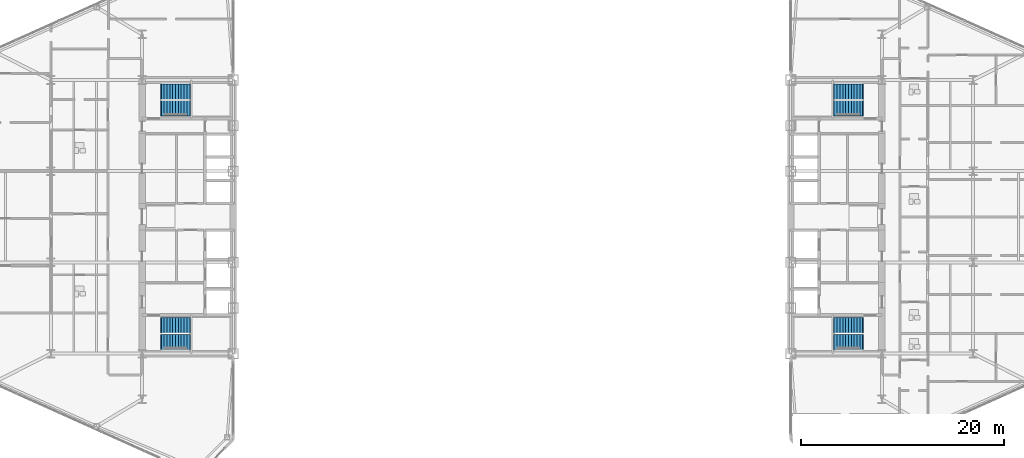
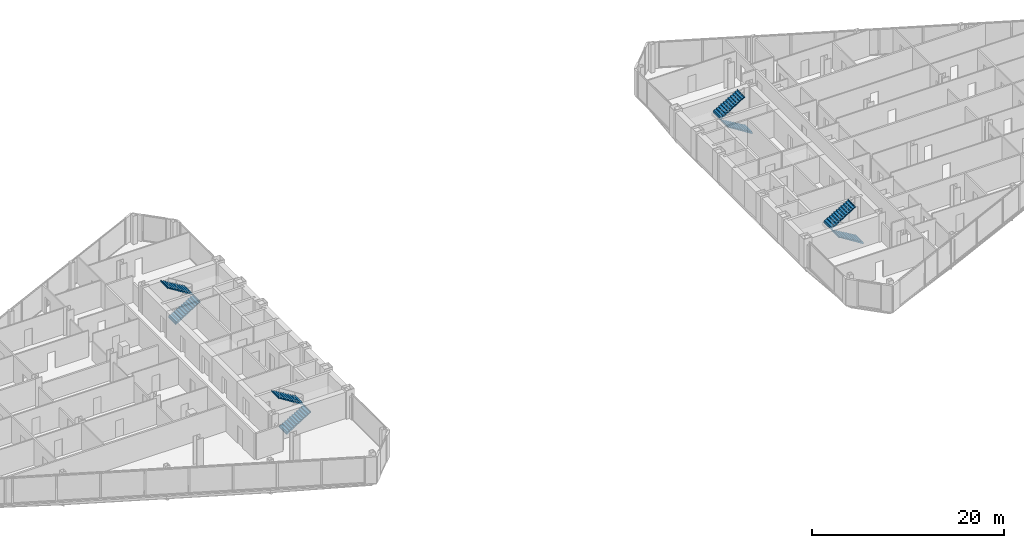
# One storey, part 25 of 27: 8 stair flights, 4 elements without a shape of their own.
"""IFC4 building model written with IfcOpenShell, lengths in metres."""

from ifc_helpers import new_model, si_unit, direction, frame, origin, place, context, subcontext, project, spatial, polyline, outline, extrude, material, type_object, element, aggregate, save


model = new_model("IFC4")

# Units and contexts
model_context = context("Model", 3, precision=1e-05, world=origin(), true_north=direction((0.0, 1.0)))
body_context = subcontext(model_context, "Body", "Model", "MODEL_VIEW")
ifc_project = project(units=[si_unit("LENGTHUNIT", "METRE"), si_unit("AREAUNIT", "SQUARE_METRE"), si_unit("VOLUMEUNIT", "CUBIC_METRE"), si_unit("PLANEANGLEUNIT", "RADIAN"), si_unit("MASSUNIT", "GRAM", prefix="KILO")], contexts=[model_context])

# Site, building, storey
site_placement = place(None, origin())
site = spatial("IfcSite", under=ifc_project, at=site_placement, CompositionType="ELEMENT")
building_placement = place(site_placement, origin())
building = spatial("IfcBuilding", under=site, at=building_placement, Name="Seokmaru Belvedere", CompositionType="ELEMENT")
storey_placement = place(building_placement, frame((0.0, 0.0, 83.699951171875)))
storey = spatial("IfcBuildingStorey", under=building, at=storey_placement, Name="L22", CompositionType="ELEMENT", Elevation=83.699951171875)

# Stair, stair flights
ifc_material = material(Name="Concrete C40 (40 MPa)", Category="concrete")
stair_type = type_object("IfcStairType", Name="Typical Tower Core Dog-Leg Stair 3600", PredefinedType="TWO_STRAIGHT_RUN_STAIR", material=ifc_material)
stair_1_placement = place(storey_placement, origin())
stair_1 = element("IfcStair", 1, at=stair_1_placement, inside=storey, type_object=stair_type, Name="L22 Special Escape Stair ST-W1", PredefinedType="TWO_STRAIGHT_RUN_STAIR")
stair_flight_type = type_object("IfcStairFlightType", Name="Reinforced Concrete Stair Flight 1500", PredefinedType="STRAIGHT", material=ifc_material)
stair_flight_1_placement = place(storey_placement, frame((-34.60009765625, -12.35009765625, 0.0), z_axis=(0.0, 0.0, 1.0), x_axis=(1.0, 0.0, 0.0)))
stair_flight_1 = element("IfcStairFlight", 2, at=stair_flight_1_placement, type_object=stair_flight_type, Name="ST-W1 flight 1", NumberOfRisers=11, NumberOfTreads=10, PredefinedType="STRAIGHT", RiserHeight=0.163636364, TreadLength=0.28, context=body_context, shape_type="SweptSolid", body=[
    extrude(outline(polyline([(-0.080078125, 0.0), (0.0, 0.16357421875), (0.280029296875, 0.16357421875), (0.280029296875, 0.327392578125), (0.56005859375, 0.327392578125), (0.56005859375, 0.490966796875), (0.840087890625, 0.490966796875), (0.840087890625, 0.654541015625), (1.1201171875, 0.654541015625), (1.1201171875, 0.818115234375), (1.39990234375, 0.818115234375), (1.39990234375, 0.98193359375), (1.679931640625, 0.98193359375), (1.679931640625, 1.1455078125), (1.9599609375, 1.1455078125), (1.9599609375, 1.30908203125), (2.239990234375, 1.30908203125), (2.239990234375, 1.47265625), (2.52001953125, 1.47265625), (2.52001953125, 1.636474609375), (2.800048828125, 1.636474609375), (2.800048828125, 1.800048828125), (2.8798828125, 1.800048828125), (2.8798828125, 1.610107421875), (2.800048828125, 1.610107421875), (0.0, -0.159912109375), (-0.080078125, -0.159912109375), (-0.080078125, 0.0)])), frame((0.0, 0.75, 0.0), z_axis=(0.0, -1.0, 0.0), x_axis=(1.0, 0.0, 0.0)), (0.0, 0.0, 1.0), 1.5),
])
stair_flight_2_placement = place(storey_placement, frame((-31.800048828125, -10.7099609375, 1.800048828125), z_axis=(0.0, 0.0, 1.0), x_axis=(-1.0, 0.0, 0.0)))
stair_flight_2 = element("IfcStairFlight", 3, at=stair_flight_2_placement, type_object=stair_flight_type, Name="ST-W1 flight 2", NumberOfRisers=11, NumberOfTreads=10, PredefinedType="STRAIGHT", RiserHeight=0.163636364, TreadLength=0.28, context=body_context, shape_type="SweptSolid", body=[
    extrude(outline(polyline([(-0.080078125, 0.0), (0.0, 0.16357421875), (0.280029296875, 0.16357421875), (0.280029296875, 0.327392578125), (0.56005859375, 0.327392578125), (0.56005859375, 0.490966796875), (0.840087890625, 0.490966796875), (0.840087890625, 0.654541015625), (1.1201171875, 0.654541015625), (1.1201171875, 0.818115234375), (1.39990234375, 0.818115234375), (1.39990234375, 0.98193359375), (1.679931640625, 0.98193359375), (1.679931640625, 1.1455078125), (1.9599609375, 1.1455078125), (1.9599609375, 1.30908203125), (2.239990234375, 1.30908203125), (2.239990234375, 1.47265625), (2.52001953125, 1.47265625), (2.52001953125, 1.636474609375), (2.800048828125, 1.636474609375), (2.800048828125, 1.800048828125), (2.8798828125, 1.800048828125), (2.8798828125, 1.610107421875), (2.800048828125, 1.610107421875), (0.0, -0.159912109375), (-0.080078125, -0.159912109375), (-0.080078125, 0.0)])), frame((0.0, 0.75, 0.0), z_axis=(0.0, -1.0, 0.0), x_axis=(1.0, 0.0, 0.0)), (0.0, 0.0, 1.0), 1.5),
])
aggregate(stair_1, [stair_flight_1, stair_flight_2])

stair_2_placement = place(storey_placement, origin())
stair_2 = element("IfcStair", 4, at=stair_2_placement, inside=storey, type_object=stair_type, Name="L22 Special Escape Stair ST-W2", PredefinedType="TWO_STRAIGHT_RUN_STAIR")
stair_flight_3_placement = place(storey_placement, frame((-34.60009765625, 10.7099609375, 0.0), z_axis=(0.0, 0.0, 1.0), x_axis=(1.0, 0.0, 0.0)))
stair_flight_3 = element("IfcStairFlight", 5, at=stair_flight_3_placement, type_object=stair_flight_type, Name="ST-W2 flight 1", NumberOfRisers=11, NumberOfTreads=10, PredefinedType="STRAIGHT", RiserHeight=0.163636364, TreadLength=0.28, context=body_context, shape_type="SweptSolid", body=[
    extrude(outline(polyline([(-0.080078125, 0.0), (0.0, 0.16357421875), (0.280029296875, 0.16357421875), (0.280029296875, 0.327392578125), (0.56005859375, 0.327392578125), (0.56005859375, 0.490966796875), (0.840087890625, 0.490966796875), (0.840087890625, 0.654541015625), (1.1201171875, 0.654541015625), (1.1201171875, 0.818115234375), (1.39990234375, 0.818115234375), (1.39990234375, 0.98193359375), (1.679931640625, 0.98193359375), (1.679931640625, 1.1455078125), (1.9599609375, 1.1455078125), (1.9599609375, 1.30908203125), (2.239990234375, 1.30908203125), (2.239990234375, 1.47265625), (2.52001953125, 1.47265625), (2.52001953125, 1.636474609375), (2.800048828125, 1.636474609375), (2.800048828125, 1.800048828125), (2.8798828125, 1.800048828125), (2.8798828125, 1.610107421875), (2.800048828125, 1.610107421875), (0.0, -0.159912109375), (-0.080078125, -0.159912109375), (-0.080078125, 0.0)])), frame((0.0, 0.75, 0.0), z_axis=(0.0, -1.0, 0.0), x_axis=(1.0, 0.0, 0.0)), (0.0, 0.0, 1.0), 1.5),
])
stair_flight_4_placement = place(storey_placement, frame((-31.800048828125, 12.35009765625, 1.800048828125), z_axis=(0.0, 0.0, 1.0), x_axis=(-1.0, 0.0, 0.0)))
stair_flight_4 = element("IfcStairFlight", 6, at=stair_flight_4_placement, type_object=stair_flight_type, Name="ST-W2 flight 2", NumberOfRisers=11, NumberOfTreads=10, PredefinedType="STRAIGHT", RiserHeight=0.163636364, TreadLength=0.28, context=body_context, shape_type="SweptSolid", body=[
    extrude(outline(polyline([(-0.080078125, 0.0), (0.0, 0.16357421875), (0.280029296875, 0.16357421875), (0.280029296875, 0.327392578125), (0.56005859375, 0.327392578125), (0.56005859375, 0.490966796875), (0.840087890625, 0.490966796875), (0.840087890625, 0.654541015625), (1.1201171875, 0.654541015625), (1.1201171875, 0.818115234375), (1.39990234375, 0.818115234375), (1.39990234375, 0.98193359375), (1.679931640625, 0.98193359375), (1.679931640625, 1.1455078125), (1.9599609375, 1.1455078125), (1.9599609375, 1.30908203125), (2.239990234375, 1.30908203125), (2.239990234375, 1.47265625), (2.52001953125, 1.47265625), (2.52001953125, 1.636474609375), (2.800048828125, 1.636474609375), (2.800048828125, 1.800048828125), (2.8798828125, 1.800048828125), (2.8798828125, 1.610107421875), (2.800048828125, 1.610107421875), (0.0, -0.159912109375), (-0.080078125, -0.159912109375), (-0.080078125, 0.0)])), frame((0.0, 0.75, 0.0), z_axis=(0.0, -1.0, 0.0), x_axis=(1.0, 0.0, 0.0)), (0.0, 0.0, 1.0), 1.5),
])
aggregate(stair_2, [stair_flight_3, stair_flight_4])

stair_3_placement = place(storey_placement, origin())
stair_3 = element("IfcStair", 7, at=stair_3_placement, inside=storey, type_object=stair_type, Name="L22 Special Escape Stair ST-E1", PredefinedType="TWO_STRAIGHT_RUN_STAIR")
stair_flight_5_placement = place(storey_placement, frame((34.60009765625, -12.35009765625, 0.0), z_axis=(0.0, 0.0, 1.0), x_axis=(-1.0, 0.0, 0.0)))
stair_flight_5 = element("IfcStairFlight", 8, at=stair_flight_5_placement, type_object=stair_flight_type, Name="ST-E1 flight 1", NumberOfRisers=11, NumberOfTreads=10, PredefinedType="STRAIGHT", RiserHeight=0.163636364, TreadLength=0.28, context=body_context, shape_type="SweptSolid", body=[
    extrude(outline(polyline([(-0.080078125, 0.0), (0.0, 0.16357421875), (0.280029296875, 0.16357421875), (0.280029296875, 0.327392578125), (0.56005859375, 0.327392578125), (0.56005859375, 0.490966796875), (0.840087890625, 0.490966796875), (0.840087890625, 0.654541015625), (1.1201171875, 0.654541015625), (1.1201171875, 0.818115234375), (1.39990234375, 0.818115234375), (1.39990234375, 0.98193359375), (1.679931640625, 0.98193359375), (1.679931640625, 1.1455078125), (1.9599609375, 1.1455078125), (1.9599609375, 1.30908203125), (2.239990234375, 1.30908203125), (2.239990234375, 1.47265625), (2.52001953125, 1.47265625), (2.52001953125, 1.636474609375), (2.800048828125, 1.636474609375), (2.800048828125, 1.800048828125), (2.8798828125, 1.800048828125), (2.8798828125, 1.610107421875), (2.800048828125, 1.610107421875), (0.0, -0.159912109375), (-0.080078125, -0.159912109375), (-0.080078125, 0.0)])), frame((0.0, 0.75, 0.0), z_axis=(0.0, -1.0, 0.0), x_axis=(1.0, 0.0, 0.0)), (0.0, 0.0, 1.0), 1.5),
])
stair_flight_6_placement = place(storey_placement, frame((31.800048828125, -10.7099609375, 1.800048828125), z_axis=(0.0, 0.0, 1.0), x_axis=(1.0, 0.0, 0.0)))
stair_flight_6 = element("IfcStairFlight", 9, at=stair_flight_6_placement, type_object=stair_flight_type, Name="ST-E1 flight 2", NumberOfRisers=11, NumberOfTreads=10, PredefinedType="STRAIGHT", RiserHeight=0.163636364, TreadLength=0.28, context=body_context, shape_type="SweptSolid", body=[
    extrude(outline(polyline([(-0.080078125, 0.0), (0.0, 0.16357421875), (0.280029296875, 0.16357421875), (0.280029296875, 0.327392578125), (0.56005859375, 0.327392578125), (0.56005859375, 0.490966796875), (0.840087890625, 0.490966796875), (0.840087890625, 0.654541015625), (1.1201171875, 0.654541015625), (1.1201171875, 0.818115234375), (1.39990234375, 0.818115234375), (1.39990234375, 0.98193359375), (1.679931640625, 0.98193359375), (1.679931640625, 1.1455078125), (1.9599609375, 1.1455078125), (1.9599609375, 1.30908203125), (2.239990234375, 1.30908203125), (2.239990234375, 1.47265625), (2.52001953125, 1.47265625), (2.52001953125, 1.636474609375), (2.800048828125, 1.636474609375), (2.800048828125, 1.800048828125), (2.8798828125, 1.800048828125), (2.8798828125, 1.610107421875), (2.800048828125, 1.610107421875), (0.0, -0.159912109375), (-0.080078125, -0.159912109375), (-0.080078125, 0.0)])), frame((0.0, 0.75, 0.0), z_axis=(0.0, -1.0, 0.0), x_axis=(1.0, 0.0, 0.0)), (0.0, 0.0, 1.0), 1.5),
])
aggregate(stair_3, [stair_flight_5, stair_flight_6])

stair_4_placement = place(storey_placement, origin())
stair_4 = element("IfcStair", 10, at=stair_4_placement, inside=storey, type_object=stair_type, Name="L22 Special Escape Stair ST-E2", PredefinedType="TWO_STRAIGHT_RUN_STAIR")
stair_flight_7_placement = place(storey_placement, frame((34.60009765625, 10.7099609375, 0.0), z_axis=(0.0, 0.0, 1.0), x_axis=(-1.0, 0.0, 0.0)))
stair_flight_7 = element("IfcStairFlight", 11, at=stair_flight_7_placement, type_object=stair_flight_type, Name="ST-E2 flight 1", NumberOfRisers=11, NumberOfTreads=10, PredefinedType="STRAIGHT", RiserHeight=0.163636364, TreadLength=0.28, context=body_context, shape_type="SweptSolid", body=[
    extrude(outline(polyline([(-0.080078125, 0.0), (0.0, 0.16357421875), (0.280029296875, 0.16357421875), (0.280029296875, 0.327392578125), (0.56005859375, 0.327392578125), (0.56005859375, 0.490966796875), (0.840087890625, 0.490966796875), (0.840087890625, 0.654541015625), (1.1201171875, 0.654541015625), (1.1201171875, 0.818115234375), (1.39990234375, 0.818115234375), (1.39990234375, 0.98193359375), (1.679931640625, 0.98193359375), (1.679931640625, 1.1455078125), (1.9599609375, 1.1455078125), (1.9599609375, 1.30908203125), (2.239990234375, 1.30908203125), (2.239990234375, 1.47265625), (2.52001953125, 1.47265625), (2.52001953125, 1.636474609375), (2.800048828125, 1.636474609375), (2.800048828125, 1.800048828125), (2.8798828125, 1.800048828125), (2.8798828125, 1.610107421875), (2.800048828125, 1.610107421875), (0.0, -0.159912109375), (-0.080078125, -0.159912109375), (-0.080078125, 0.0)])), frame((0.0, 0.75, 0.0), z_axis=(0.0, -1.0, 0.0), x_axis=(1.0, 0.0, 0.0)), (0.0, 0.0, 1.0), 1.5),
])
stair_flight_8_placement = place(storey_placement, frame((31.800048828125, 12.35009765625, 1.800048828125), z_axis=(0.0, 0.0, 1.0), x_axis=(1.0, 0.0, 0.0)))
stair_flight_8 = element("IfcStairFlight", 12, at=stair_flight_8_placement, type_object=stair_flight_type, Name="ST-E2 flight 2", NumberOfRisers=11, NumberOfTreads=10, PredefinedType="STRAIGHT", RiserHeight=0.163636364, TreadLength=0.28, context=body_context, shape_type="SweptSolid", body=[
    extrude(outline(polyline([(-0.080078125, 0.0), (0.0, 0.16357421875), (0.280029296875, 0.16357421875), (0.280029296875, 0.327392578125), (0.56005859375, 0.327392578125), (0.56005859375, 0.490966796875), (0.840087890625, 0.490966796875), (0.840087890625, 0.654541015625), (1.1201171875, 0.654541015625), (1.1201171875, 0.818115234375), (1.39990234375, 0.818115234375), (1.39990234375, 0.98193359375), (1.679931640625, 0.98193359375), (1.679931640625, 1.1455078125), (1.9599609375, 1.1455078125), (1.9599609375, 1.30908203125), (2.239990234375, 1.30908203125), (2.239990234375, 1.47265625), (2.52001953125, 1.47265625), (2.52001953125, 1.636474609375), (2.800048828125, 1.636474609375), (2.800048828125, 1.800048828125), (2.8798828125, 1.800048828125), (2.8798828125, 1.610107421875), (2.800048828125, 1.610107421875), (0.0, -0.159912109375), (-0.080078125, -0.159912109375), (-0.080078125, 0.0)])), frame((0.0, 0.75, 0.0), z_axis=(0.0, -1.0, 0.0), x_axis=(1.0, 0.0, 0.0)), (0.0, 0.0, 1.0), 1.5),
])
aggregate(stair_4, [stair_flight_7, stair_flight_8])

save(model, "model.ifc")
